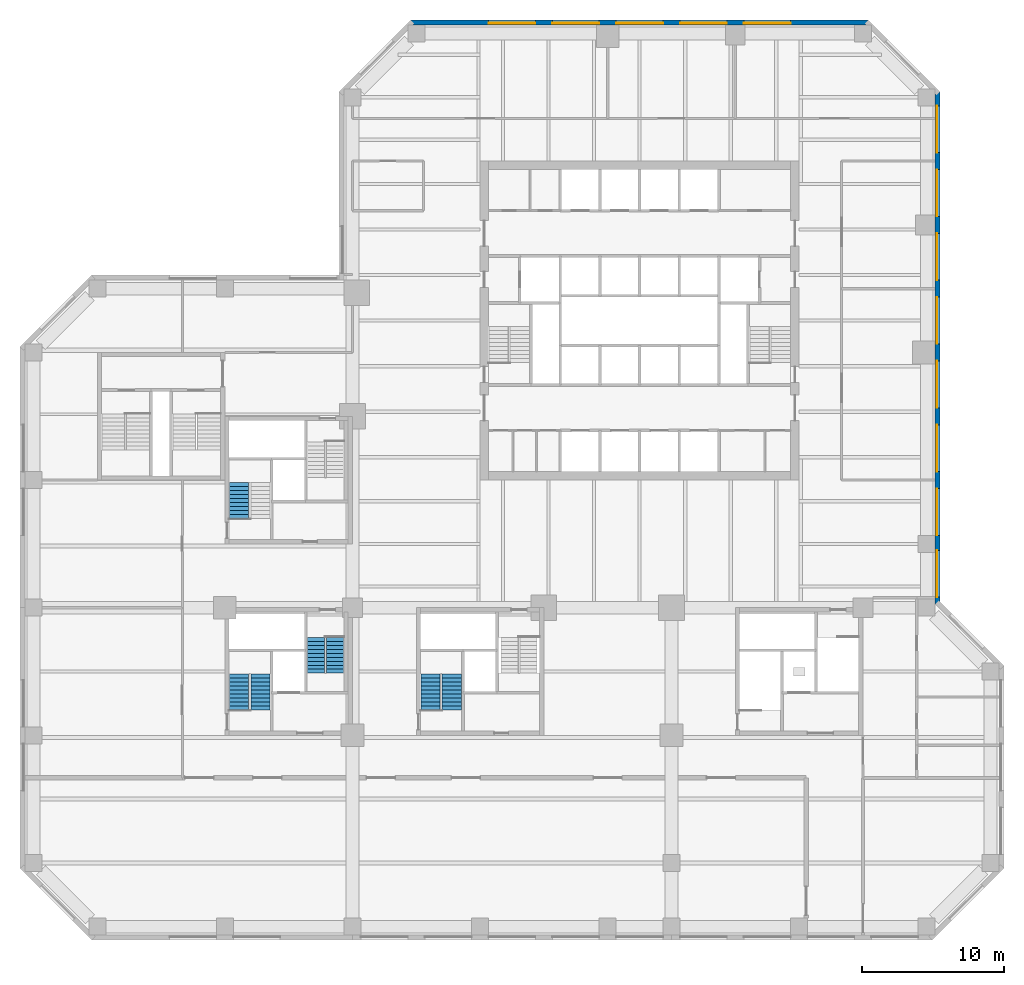
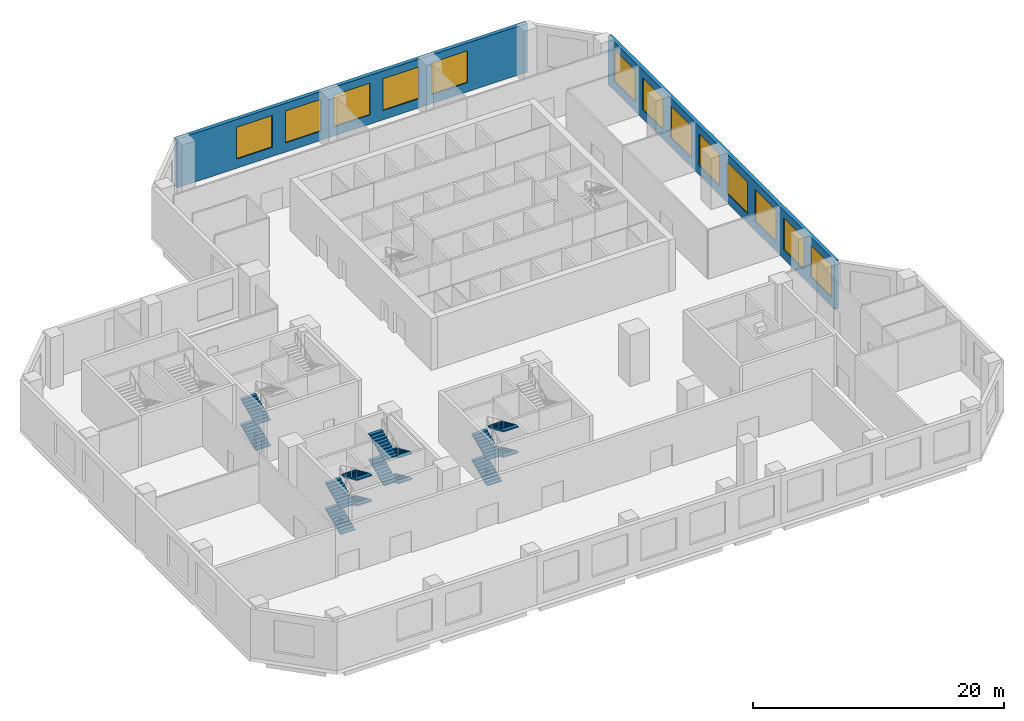
# One storey, part 9 of 12: 14 stair flights, 13 windows, 2 walls, 13 openings, 4 elements without a shape of their own.
"""IFC4 building model written with IfcOpenShell, lengths in metres."""

from ifc_helpers import new_model, si_unit, direction, frame, frame_2d, origin, place, context, subcontext, project, spatial, polyline, rectangle, outline, extrude, material, layer, layer_set, constituent, constituent_set, type_object, element, fill, aggregate, save


model = new_model("IFC4")

# Units and contexts
model_context = context("Model", 3, precision=1e-05, world=origin(), true_north=direction((0.0, 1.0)))
body_context = subcontext(model_context, "Body", "Model", "MODEL_VIEW")
ifc_project = project(units=[si_unit("LENGTHUNIT", "METRE"), si_unit("AREAUNIT", "SQUARE_METRE"), si_unit("VOLUMEUNIT", "CUBIC_METRE"), si_unit("PLANEANGLEUNIT", "RADIAN"), si_unit("MASSUNIT", "GRAM", prefix="KILO")], contexts=[model_context])

# Site, building, storey
site_placement = place(None, origin())
site = spatial("IfcSite", under=ifc_project, at=site_placement, CompositionType="ELEMENT")
building_placement = place(site_placement, origin())
building = spatial("IfcBuilding", under=site, at=building_placement, Name="Quoin Convention Tower", CompositionType="ELEMENT")
storey_placement = place(building_placement, frame((0.0, 0.0, 13.5)))
storey = spatial("IfcBuildingStorey", under=building, at=storey_placement, Name="L02", CompositionType="ELEMENT", Elevation=13.5)

# Wall, openings, windows
ifc_material_1 = material(Name="Brick masonry", Category="masonry")
ifc_layer = layer(ifc_material_1, 0.35009765625)
ifc_layer_set = layer_set([ifc_layer], Name="Brick masonry")
wall_type = type_object("IfcWallType", Name="Brick facade wall", PredefinedType="STANDARD", material=ifc_layer_set)
wall_1_placement = place(storey_placement, frame((77.27490234375, 40.74853515625, 0.0), z_axis=(0.0, 0.0, 1.0), x_axis=(0.0, 1.0, 0.0)))
wall_1 = element("IfcWall", 1, at=wall_1_placement, inside=storey, type_object=wall_type, Name="fw-L02-76500_40500", PredefinedType="STANDARD", context=body_context, shape_type="SweptSolid", body=[
    extrude(rectangle(XDim=36.14501953125, YDim=0.35009765625, at=frame_2d((18.072509765625, 0.0))), origin(), (0.0, 0.0, 1.0), 4.7548828125),
])
opening_1_placement = place(wall_1_placement, frame((0.5, 0.0, 0.89990234375)))
opening_1 = element("IfcOpeningElement", 2, at=opening_1_placement, cuts=wall_1, Name="Opening W-05", PredefinedType="OPENING", context=body_context, shape_type="SweptSolid", body=[
    extrude(rectangle(XDim=3.300048828125, YDim=3.10009765625, at=frame_2d((1.64990234375, 1.550048828125))), frame((0.0, 0.18505859375, 0.0), z_axis=(0.0, -1.0, 0.0), x_axis=(1.0, 0.0, 0.0)), (0.0, 0.0, 1.0), 0.3701171875),
])
opening_2_placement = place(wall_1_placement, frame((4.8515625, 0.0, 0.89990234375)))
opening_2 = element("IfcOpeningElement", 3, at=opening_2_placement, cuts=wall_1, Name="Opening W-05", PredefinedType="OPENING", context=body_context, shape_type="SweptSolid", body=[
    extrude(rectangle(XDim=3.300048828125, YDim=3.10009765625, at=frame_2d((1.64990234375, 1.550048828125))), frame((0.0, 0.18505859375, 0.0), z_axis=(0.0, -1.0, 0.0), x_axis=(1.0, 0.0, 0.0)), (0.0, 0.0, 1.0), 0.3701171875),
])
opening_3_placement = place(wall_1_placement, frame((9.3515625, 0.0, 0.89990234375)))
opening_3 = element("IfcOpeningElement", 4, at=opening_3_placement, cuts=wall_1, Name="Opening W-05", PredefinedType="OPENING", context=body_context, shape_type="SweptSolid", body=[
    extrude(rectangle(XDim=3.300048828125, YDim=3.10009765625, at=frame_2d((1.64990234375, 1.550048828125))), frame((0.0, 0.18505859375, 0.0), z_axis=(0.0, -1.0, 0.0), x_axis=(1.0, 0.0, 0.0)), (0.0, 0.0, 1.0), 0.3701171875),
])
opening_4_placement = place(wall_1_placement, frame((13.8515625, 0.0, 0.89990234375)))
opening_4 = element("IfcOpeningElement", 5, at=opening_4_placement, cuts=wall_1, Name="Opening W-05", PredefinedType="OPENING", context=body_context, shape_type="SweptSolid", body=[
    extrude(rectangle(XDim=3.300048828125, YDim=3.10009765625, at=frame_2d((1.64990234375, 1.550048828125))), frame((0.0, 0.18505859375, 0.0), z_axis=(0.0, -1.0, 0.0), x_axis=(1.0, 0.0, 0.0)), (0.0, 0.0, 1.0), 0.3701171875),
])
opening_5_placement = place(wall_1_placement, frame((18.3515625, 0.0, 0.89990234375)))
opening_5 = element("IfcOpeningElement", 6, at=opening_5_placement, cuts=wall_1, Name="Opening W-05", PredefinedType="OPENING", context=body_context, shape_type="SweptSolid", body=[
    extrude(rectangle(XDim=3.300048828125, YDim=3.10009765625, at=frame_2d((1.64990234375, 1.550048828125))), frame((0.0, 0.18505859375, 0.0), z_axis=(0.0, -1.0, 0.0), x_axis=(1.0, 0.0, 0.0)), (0.0, 0.0, 1.0), 0.3701171875),
])
opening_6_placement = place(wall_1_placement, frame((22.8515625, 0.0, 0.89990234375)))
opening_6 = element("IfcOpeningElement", 7, at=opening_6_placement, cuts=wall_1, Name="Opening W-05", PredefinedType="OPENING", context=body_context, shape_type="SweptSolid", body=[
    extrude(rectangle(XDim=3.300048828125, YDim=3.10009765625, at=frame_2d((1.64990234375, 1.550048828125))), frame((0.0, 0.18505859375, 0.0), z_axis=(0.0, -1.0, 0.0), x_axis=(1.0, 0.0, 0.0)), (0.0, 0.0, 1.0), 0.3701171875),
])
opening_7_placement = place(wall_1_placement, frame((27.3515625, 0.0, 0.89990234375)))
opening_7 = element("IfcOpeningElement", 8, at=opening_7_placement, cuts=wall_1, Name="Opening W-05", PredefinedType="OPENING", context=body_context, shape_type="SweptSolid", body=[
    extrude(rectangle(XDim=3.300048828125, YDim=3.10009765625, at=frame_2d((1.64990234375, 1.550048828125))), frame((0.0, 0.18505859375, 0.0), z_axis=(0.0, -1.0, 0.0), x_axis=(1.0, 0.0, 0.0)), (0.0, 0.0, 1.0), 0.3701171875),
])
opening_8_placement = place(wall_1_placement, frame((31.8515625, 0.0, 0.89990234375)))
opening_8 = element("IfcOpeningElement", 9, at=opening_8_placement, cuts=wall_1, Name="Opening W-05", PredefinedType="OPENING", context=body_context, shape_type="SweptSolid", body=[
    extrude(rectangle(XDim=3.300048828125, YDim=3.10009765625, at=frame_2d((1.64990234375, 1.550048828125))), frame((0.0, 0.18505859375, 0.0), z_axis=(0.0, -1.0, 0.0), x_axis=(1.0, 0.0, 0.0)), (0.0, 0.0, 1.0), 0.3701171875),
])
ifc_material_2 = material(Name="Aluminium", Category="aluminium")
ifc_constituent_1 = constituent(ifc_material_2, Name="Frame")
ifc_material_3 = material(Name="Insulated glass", Category="glass")
ifc_constituent_2 = constituent(ifc_material_3, Name="Glazing")
ifc_constituent_set = constituent_set(constituents=[ifc_constituent_1, ifc_constituent_2], Name="Aluminium")
window_type = type_object("IfcWindowType", Name="Convention window L02", PartitioningType="TRIPLE_PANEL_VERTICAL", PredefinedType="WINDOW", material=ifc_constituent_set)
window_1_placement = place(opening_1_placement, origin())
window_1 = element("IfcWindow", 10, at=window_1_placement, inside=storey, type_object=window_type, Name="win-L02-77275_42750", OverallHeight=3.10009765625, OverallWidth=3.300048828125, PartitioningType="SINGLE_PANEL", PredefinedType="WINDOW", context=body_context, shape_type="SweptSolid", body=[
    extrude(rectangle(XDim=3.300048828125, YDim=3.10009765625, at=frame_2d((1.64990234375, 1.550048828125))), frame((0.0, 0.0849609375, 0.0), z_axis=(0.0, -1.0, 0.0), x_axis=(1.0, 0.0, 0.0)), (0.0, 0.0, 1.0), 0.06005859375),
])
fill(opening_1, window_1)
window_2_placement = place(opening_2_placement, origin())
window_2 = element("IfcWindow", 11, at=window_2_placement, inside=storey, type_object=window_type, Name="win-L02-77275_47250", OverallHeight=3.10009765625, OverallWidth=3.300048828125, PartitioningType="SINGLE_PANEL", PredefinedType="WINDOW", context=body_context, shape_type="SweptSolid", body=[
    extrude(rectangle(XDim=3.300048828125, YDim=3.10009765625, at=frame_2d((1.64990234375, 1.550048828125))), frame((0.0, 0.0849609375, 0.0), z_axis=(0.0, -1.0, 0.0), x_axis=(1.0, 0.0, 0.0)), (0.0, 0.0, 1.0), 0.06005859375),
])
fill(opening_2, window_2)
window_3_placement = place(opening_3_placement, origin())
window_3 = element("IfcWindow", 12, at=window_3_placement, inside=storey, type_object=window_type, Name="win-L02-77275_51750", OverallHeight=3.10009765625, OverallWidth=3.300048828125, PartitioningType="SINGLE_PANEL", PredefinedType="WINDOW", context=body_context, shape_type="SweptSolid", body=[
    extrude(rectangle(XDim=3.300048828125, YDim=3.10009765625, at=frame_2d((1.64990234375, 1.550048828125))), frame((0.0, 0.0849609375, 0.0), z_axis=(0.0, -1.0, 0.0), x_axis=(1.0, 0.0, 0.0)), (0.0, 0.0, 1.0), 0.06005859375),
])
fill(opening_3, window_3)
window_4_placement = place(opening_4_placement, origin())
window_4 = element("IfcWindow", 13, at=window_4_placement, inside=storey, type_object=window_type, Name="win-L02-77275_56250", OverallHeight=3.10009765625, OverallWidth=3.300048828125, PartitioningType="SINGLE_PANEL", PredefinedType="WINDOW", context=body_context, shape_type="SweptSolid", body=[
    extrude(rectangle(XDim=3.300048828125, YDim=3.10009765625, at=frame_2d((1.64990234375, 1.550048828125))), frame((0.0, 0.0849609375, 0.0), z_axis=(0.0, -1.0, 0.0), x_axis=(1.0, 0.0, 0.0)), (0.0, 0.0, 1.0), 0.06005859375),
])
fill(opening_4, window_4)
window_5_placement = place(opening_5_placement, origin())
window_5 = element("IfcWindow", 14, at=window_5_placement, inside=storey, type_object=window_type, Name="win-L02-77275_60750", OverallHeight=3.10009765625, OverallWidth=3.300048828125, PartitioningType="SINGLE_PANEL", PredefinedType="WINDOW", context=body_context, shape_type="SweptSolid", body=[
    extrude(rectangle(XDim=3.300048828125, YDim=3.10009765625, at=frame_2d((1.64990234375, 1.550048828125))), frame((0.0, 0.0849609375, 0.0), z_axis=(0.0, -1.0, 0.0), x_axis=(1.0, 0.0, 0.0)), (0.0, 0.0, 1.0), 0.06005859375),
])
fill(opening_5, window_5)
window_6_placement = place(opening_6_placement, origin())
window_6 = element("IfcWindow", 15, at=window_6_placement, inside=storey, type_object=window_type, Name="win-L02-77275_65250", OverallHeight=3.10009765625, OverallWidth=3.300048828125, PartitioningType="SINGLE_PANEL", PredefinedType="WINDOW", context=body_context, shape_type="SweptSolid", body=[
    extrude(rectangle(XDim=3.300048828125, YDim=3.10009765625, at=frame_2d((1.64990234375, 1.550048828125))), frame((0.0, 0.0849609375, 0.0), z_axis=(0.0, -1.0, 0.0), x_axis=(1.0, 0.0, 0.0)), (0.0, 0.0, 1.0), 0.06005859375),
])
fill(opening_6, window_6)
window_7_placement = place(opening_7_placement, origin())
window_7 = element("IfcWindow", 16, at=window_7_placement, inside=storey, type_object=window_type, Name="win-L02-77275_69750", OverallHeight=3.10009765625, OverallWidth=3.300048828125, PartitioningType="SINGLE_PANEL", PredefinedType="WINDOW", context=body_context, shape_type="SweptSolid", body=[
    extrude(rectangle(XDim=3.300048828125, YDim=3.10009765625, at=frame_2d((1.64990234375, 1.550048828125))), frame((0.0, 0.0849609375, 0.0), z_axis=(0.0, -1.0, 0.0), x_axis=(1.0, 0.0, 0.0)), (0.0, 0.0, 1.0), 0.06005859375),
])
fill(opening_7, window_7)
window_8_placement = place(opening_8_placement, origin())
window_8 = element("IfcWindow", 17, at=window_8_placement, inside=storey, type_object=window_type, Name="win-L02-77275_74250", OverallHeight=3.10009765625, OverallWidth=3.300048828125, PartitioningType="SINGLE_PANEL", PredefinedType="WINDOW", context=body_context, shape_type="SweptSolid", body=[
    extrude(rectangle(XDim=3.300048828125, YDim=3.10009765625, at=frame_2d((1.64990234375, 1.550048828125))), frame((0.0, 0.0849609375, 0.0), z_axis=(0.0, -1.0, 0.0), x_axis=(1.0, 0.0, 0.0)), (0.0, 0.0, 1.0), 0.06005859375),
])
fill(opening_8, window_8)

wall_2_placement = place(storey_placement, frame((72.3935546875, 81.77490234375, 0.0), z_axis=(0.0, 0.0, 1.0), x_axis=(-1.0, 0.0, 0.0)))
wall_2 = element("IfcWall", 18, at=wall_2_placement, inside=storey, type_object=wall_type, Name="fw-L02-72000_81000", PredefinedType="STANDARD", context=body_context, shape_type="SweptSolid", body=[
    extrude(rectangle(XDim=32.287109375, YDim=0.35009765625, at=frame_2d((16.1435546875, 0.0))), origin(), (0.0, 0.0, 1.0), 4.7548828125),
])
opening_9_placement = place(wall_2_placement, frame((5.493408203125, 0.0, 0.89990234375)))
opening_9 = element("IfcOpeningElement", 19, at=opening_9_placement, cuts=wall_2, Name="Opening W-05", PredefinedType="OPENING", context=body_context, shape_type="SweptSolid", body=[
    extrude(rectangle(XDim=3.300048828125, YDim=3.10009765625, at=frame_2d((1.64990234375, 1.550048828125))), frame((0.0, 0.18505859375, 0.0), z_axis=(0.0, -1.0, 0.0), x_axis=(1.0, 0.0, 0.0)), (0.0, 0.0, 1.0), 0.3701171875),
])
opening_10_placement = place(wall_2_placement, frame((9.993408203125, 0.0, 0.89990234375)))
opening_10 = element("IfcOpeningElement", 20, at=opening_10_placement, cuts=wall_2, Name="Opening W-05", PredefinedType="OPENING", context=body_context, shape_type="SweptSolid", body=[
    extrude(rectangle(XDim=3.300048828125, YDim=3.10009765625, at=frame_2d((1.64990234375, 1.550048828125))), frame((0.0, 0.18505859375, 0.0), z_axis=(0.0, -1.0, 0.0), x_axis=(1.0, 0.0, 0.0)), (0.0, 0.0, 1.0), 0.3701171875),
])
opening_11_placement = place(wall_2_placement, frame((14.493408203125, 0.0, 0.89990234375)))
opening_11 = element("IfcOpeningElement", 21, at=opening_11_placement, cuts=wall_2, Name="Opening W-05", PredefinedType="OPENING", context=body_context, shape_type="SweptSolid", body=[
    extrude(rectangle(XDim=3.300048828125, YDim=3.10009765625, at=frame_2d((1.64990234375, 1.550048828125))), frame((0.0, 0.18505859375, 0.0), z_axis=(0.0, -1.0, 0.0), x_axis=(1.0, 0.0, 0.0)), (0.0, 0.0, 1.0), 0.3701171875),
])
opening_12_placement = place(wall_2_placement, frame((18.993408203125, 0.0, 0.89990234375)))
opening_12 = element("IfcOpeningElement", 22, at=opening_12_placement, cuts=wall_2, Name="Opening W-05", PredefinedType="OPENING", context=body_context, shape_type="SweptSolid", body=[
    extrude(rectangle(XDim=3.300048828125, YDim=3.10009765625, at=frame_2d((1.64990234375, 1.550048828125))), frame((0.0, 0.18505859375, 0.0), z_axis=(0.0, -1.0, 0.0), x_axis=(1.0, 0.0, 0.0)), (0.0, 0.0, 1.0), 0.3701171875),
])
opening_13_placement = place(wall_2_placement, frame((23.493408203125, 0.0, 0.89990234375)))
opening_13 = element("IfcOpeningElement", 23, at=opening_13_placement, cuts=wall_2, Name="Opening W-05", PredefinedType="OPENING", context=body_context, shape_type="SweptSolid", body=[
    extrude(rectangle(XDim=3.300048828125, YDim=3.10009765625, at=frame_2d((1.64990234375, 1.550048828125))), frame((0.0, 0.18505859375, 0.0), z_axis=(0.0, -1.0, 0.0), x_axis=(1.0, 0.0, 0.0)), (0.0, 0.0, 1.0), 0.3701171875),
])
window_9_placement = place(opening_9_placement, origin())
window_9 = element("IfcWindow", 24, at=window_9_placement, inside=storey, type_object=window_type, Name="win-L02-65250_81775", OverallHeight=3.10009765625, OverallWidth=3.300048828125, PartitioningType="SINGLE_PANEL", PredefinedType="WINDOW", context=body_context, shape_type="SweptSolid", body=[
    extrude(rectangle(XDim=3.300048828125, YDim=3.10009765625, at=frame_2d((1.64990234375, 1.550048828125))), frame((0.0, 0.0849609375, 0.0), z_axis=(0.0, -1.0, 0.0), x_axis=(1.0, 0.0, 0.0)), (0.0, 0.0, 1.0), 0.06005859375),
])
fill(opening_9, window_9)
window_10_placement = place(opening_10_placement, origin())
window_10 = element("IfcWindow", 25, at=window_10_placement, inside=storey, type_object=window_type, Name="win-L02-60750_81775", OverallHeight=3.10009765625, OverallWidth=3.300048828125, PartitioningType="SINGLE_PANEL", PredefinedType="WINDOW", context=body_context, shape_type="SweptSolid", body=[
    extrude(rectangle(XDim=3.300048828125, YDim=3.10009765625, at=frame_2d((1.64990234375, 1.550048828125))), frame((0.0, 0.0849609375, 0.0), z_axis=(0.0, -1.0, 0.0), x_axis=(1.0, 0.0, 0.0)), (0.0, 0.0, 1.0), 0.06005859375),
])
fill(opening_10, window_10)
window_11_placement = place(opening_11_placement, origin())
window_11 = element("IfcWindow", 26, at=window_11_placement, inside=storey, type_object=window_type, Name="win-L02-56250_81775", OverallHeight=3.10009765625, OverallWidth=3.300048828125, PartitioningType="SINGLE_PANEL", PredefinedType="WINDOW", context=body_context, shape_type="SweptSolid", body=[
    extrude(rectangle(XDim=3.300048828125, YDim=3.10009765625, at=frame_2d((1.64990234375, 1.550048828125))), frame((0.0, 0.0849609375, 0.0), z_axis=(0.0, -1.0, 0.0), x_axis=(1.0, 0.0, 0.0)), (0.0, 0.0, 1.0), 0.06005859375),
])
fill(opening_11, window_11)
window_12_placement = place(opening_12_placement, origin())
window_12 = element("IfcWindow", 27, at=window_12_placement, inside=storey, type_object=window_type, Name="win-L02-51750_81775", OverallHeight=3.10009765625, OverallWidth=3.300048828125, PartitioningType="SINGLE_PANEL", PredefinedType="WINDOW", context=body_context, shape_type="SweptSolid", body=[
    extrude(rectangle(XDim=3.300048828125, YDim=3.10009765625, at=frame_2d((1.64990234375, 1.550048828125))), frame((0.0, 0.0849609375, 0.0), z_axis=(0.0, -1.0, 0.0), x_axis=(1.0, 0.0, 0.0)), (0.0, 0.0, 1.0), 0.06005859375),
])
fill(opening_12, window_12)
window_13_placement = place(opening_13_placement, origin())
window_13 = element("IfcWindow", 28, at=window_13_placement, inside=storey, type_object=window_type, Name="win-L02-47250_81775", OverallHeight=3.10009765625, OverallWidth=3.300048828125, PartitioningType="SINGLE_PANEL", PredefinedType="WINDOW", context=body_context, shape_type="SweptSolid", body=[
    extrude(rectangle(XDim=3.300048828125, YDim=3.10009765625, at=frame_2d((1.64990234375, 1.550048828125))), frame((0.0, 0.0849609375, 0.0), z_axis=(0.0, -1.0, 0.0), x_axis=(1.0, 0.0, 0.0)), (0.0, 0.0, 1.0), 0.06005859375),
])
fill(opening_13, window_13)

# Stair, stair flights
ifc_material_4 = material(Name="Concrete C40", Category="concrete")
stair_type_1 = type_object("IfcStairType", Name="Exit stair four-flight 1200", PredefinedType="DOUBLE_RETURN_STAIR", material=ifc_material_4)
stair_1_placement = place(storey_placement, origin())
stair_1 = element("IfcStair", 29, at=stair_1_placement, inside=storey, type_object=stair_type_1, Name="SD8 L02", PredefinedType="DOUBLE_RETURN_STAIR")
stair_flight_type_1 = type_object("IfcStairFlightType", Name="Stair flight 1200", PredefinedType="STRAIGHT", material=ifc_material_4)
stair_flight_1_placement = place(storey_placement, frame((34.77490234375, 38.39990234375, 0.0), z_axis=(0.0, 0.0, 1.0), x_axis=(0.0, -1.0, 0.0)))
stair_flight_1 = element("IfcStairFlight", 30, at=stair_flight_1_placement, type_object=stair_flight_type_1, Name="ST8 flight 1", NumberOfRisers=10, NumberOfTreads=9, PredefinedType="STRAIGHT", RiserHeight=0.125, TreadLength=0.28, context=body_context, shape_type="SweptSolid", body=[
    extrude(outline(polyline([(0.0, 0.0), (0.0, 0.125), (0.280029296875, 0.125), (0.280029296875, 0.25), (0.56005859375, 0.25), (0.56005859375, 0.375), (0.840087890625, 0.375), (0.840087890625, 0.5), (1.1201171875, 0.5), (1.1201171875, 0.625), (1.39990234375, 0.625), (1.39990234375, 0.75), (1.679931640625, 0.75), (1.679931640625, 0.875), (1.9599609375, 0.875), (1.9599609375, 1.0), (2.239990234375, 1.0), (2.239990234375, 1.125), (2.52001953125, 1.125), (2.52001953125, 1.25), (2.52001953125, 0.993408203125), (0.294677734375, 0.0), (0.0, 0.0)])), frame((0.0, 0.60009765625, 0.0), z_axis=(0.0, -1.0, 0.0), x_axis=(1.0, 0.0, 0.0)), (0.0, 0.0, 1.0), 1.199951171875),
])
stair_flight_2_placement = place(storey_placement, frame((33.425048828125, 35.8798828125, 1.25), z_axis=(0.0, 0.0, 1.0), x_axis=(0.0, 1.0, 0.0)))
stair_flight_2 = element("IfcStairFlight", 31, at=stair_flight_2_placement, type_object=stair_flight_type_1, Name="ST8 flight 2", NumberOfRisers=10, NumberOfTreads=9, PredefinedType="STRAIGHT", RiserHeight=0.125, TreadLength=0.28, context=body_context, shape_type="SweptSolid", body=[
    extrude(outline(polyline([(0.0, 0.0), (0.0, 0.125), (0.280029296875, 0.125), (0.280029296875, 0.25), (0.56005859375, 0.25), (0.56005859375, 0.375), (0.840087890625, 0.375), (0.840087890625, 0.5), (1.1201171875, 0.5), (1.1201171875, 0.625), (1.39990234375, 0.625), (1.39990234375, 0.75), (1.679931640625, 0.75), (1.679931640625, 0.875), (1.9599609375, 0.875), (1.9599609375, 1.0), (2.239990234375, 1.0), (2.239990234375, 1.125), (2.52001953125, 1.125), (2.52001953125, 1.25), (2.52001953125, 0.993408203125), (0.294677734375, 0.0), (0.0, 0.0)])), frame((0.0, 0.60009765625, 0.0), z_axis=(0.0, -1.0, 0.0), x_axis=(1.0, 0.0, 0.0)), (0.0, 0.0, 1.0), 1.199951171875),
])
stair_flight_3_placement = place(storey_placement, frame((34.77490234375, 38.39990234375, 2.5), z_axis=(0.0, 0.0, 1.0), x_axis=(0.0, -1.0, 0.0)))
stair_flight_3 = element("IfcStairFlight", 32, at=stair_flight_3_placement, type_object=stair_flight_type_1, Name="ST8 flight 3", NumberOfRisers=10, NumberOfTreads=9, PredefinedType="STRAIGHT", RiserHeight=0.125, TreadLength=0.28, context=body_context, shape_type="SweptSolid", body=[
    extrude(outline(polyline([(0.0, 0.0), (0.0, 0.125), (0.280029296875, 0.125), (0.280029296875, 0.25), (0.56005859375, 0.25), (0.56005859375, 0.375), (0.840087890625, 0.375), (0.840087890625, 0.5), (1.1201171875, 0.5), (1.1201171875, 0.625), (1.39990234375, 0.625), (1.39990234375, 0.75), (1.679931640625, 0.75), (1.679931640625, 0.875), (1.9599609375, 0.875), (1.9599609375, 1.0), (2.239990234375, 1.0), (2.239990234375, 1.125), (2.52001953125, 1.125), (2.52001953125, 1.25), (2.52001953125, 0.993408203125), (0.294677734375, 0.0), (0.0, 0.0)])), frame((0.0, 0.60009765625, 0.0), z_axis=(0.0, -1.0, 0.0), x_axis=(1.0, 0.0, 0.0)), (0.0, 0.0, 1.0), 1.199951171875),
])
stair_flight_4_placement = place(storey_placement, frame((33.425048828125, 35.8798828125, 3.75), z_axis=(0.0, 0.0, 1.0), x_axis=(0.0, 1.0, 0.0)))
stair_flight_4 = element("IfcStairFlight", 33, at=stair_flight_4_placement, type_object=stair_flight_type_1, Name="ST8 flight 4", NumberOfRisers=10, NumberOfTreads=9, PredefinedType="STRAIGHT", RiserHeight=0.125, TreadLength=0.28, context=body_context, shape_type="SweptSolid", body=[
    extrude(outline(polyline([(0.0, 0.0), (0.0, 0.125), (0.280029296875, 0.125), (0.280029296875, 0.25), (0.56005859375, 0.25), (0.56005859375, 0.375), (0.840087890625, 0.375), (0.840087890625, 0.5), (1.1201171875, 0.5), (1.1201171875, 0.625), (1.39990234375, 0.625), (1.39990234375, 0.75), (1.679931640625, 0.75), (1.679931640625, 0.875), (1.9599609375, 0.875), (1.9599609375, 1.0), (2.239990234375, 1.0), (2.239990234375, 1.125), (2.52001953125, 1.125), (2.52001953125, 1.25), (2.52001953125, 0.993408203125), (0.294677734375, 0.0), (0.0, 0.0)])), frame((0.0, 0.60009765625, 0.0), z_axis=(0.0, -1.0, 0.0), x_axis=(1.0, 0.0, 0.0)), (0.0, 0.0, 1.0), 1.199951171875),
])
aggregate(stair_1, [stair_flight_1, stair_flight_2, stair_flight_3, stair_flight_4])

stair_type_2 = type_object("IfcStairType", Name="Exit stair four-flight 1350", PredefinedType="DOUBLE_RETURN_STAIR", material=ifc_material_4)
stair_2_placement = place(storey_placement, origin())
stair_2 = element("IfcStair", 34, at=stair_2_placement, inside=storey, type_object=stair_type_2, Name="SD3 L02", PredefinedType="DOUBLE_RETURN_STAIR")
stair_flight_type_2 = type_object("IfcStairFlightType", Name="Stair flight 1350", PredefinedType="STRAIGHT", material=ifc_material_4)
stair_flight_5_placement = place(storey_placement, frame((28.0, 46.800048828125, 0.0), z_axis=(0.0, 0.0, 1.0), x_axis=(0.0, 1.0, 0.0)))
stair_flight_5 = element("IfcStairFlight", 35, at=stair_flight_5_placement, type_object=stair_flight_type_2, Name="ST3 flight 1", NumberOfRisers=10, NumberOfTreads=9, PredefinedType="STRAIGHT", RiserHeight=0.125, TreadLength=0.28, context=body_context, shape_type="SweptSolid", body=[
    extrude(outline(polyline([(0.0, 0.0), (0.0, 0.125), (0.280029296875, 0.125), (0.280029296875, 0.25), (0.56005859375, 0.25), (0.56005859375, 0.375), (0.840087890625, 0.375), (0.840087890625, 0.5), (1.1201171875, 0.5), (1.1201171875, 0.625), (1.39990234375, 0.625), (1.39990234375, 0.75), (1.679931640625, 0.75), (1.679931640625, 0.875), (1.9599609375, 0.875), (1.9599609375, 1.0), (2.239990234375, 1.0), (2.239990234375, 1.125), (2.52001953125, 1.125), (2.52001953125, 1.25), (2.52001953125, 0.993408203125), (0.294677734375, 0.0), (0.0, 0.0)])), frame((0.0, 0.675048828125, 0.0), z_axis=(0.0, -1.0, 0.0), x_axis=(1.0, 0.0, 0.0)), (0.0, 0.0, 1.0), 1.35009765625),
])
stair_flight_6_placement = place(storey_placement, frame((28.0, 46.800048828125, 2.5), z_axis=(0.0, 0.0, 1.0), x_axis=(0.0, 1.0, 0.0)))
stair_flight_6 = element("IfcStairFlight", 36, at=stair_flight_6_placement, type_object=stair_flight_type_2, Name="ST3 flight 3", NumberOfRisers=10, NumberOfTreads=9, PredefinedType="STRAIGHT", RiserHeight=0.125, TreadLength=0.28, context=body_context, shape_type="SweptSolid", body=[
    extrude(outline(polyline([(0.0, 0.0), (0.0, 0.125), (0.280029296875, 0.125), (0.280029296875, 0.25), (0.56005859375, 0.25), (0.56005859375, 0.375), (0.840087890625, 0.375), (0.840087890625, 0.5), (1.1201171875, 0.5), (1.1201171875, 0.625), (1.39990234375, 0.625), (1.39990234375, 0.75), (1.679931640625, 0.75), (1.679931640625, 0.875), (1.9599609375, 0.875), (1.9599609375, 1.0), (2.239990234375, 1.0), (2.239990234375, 1.125), (2.52001953125, 1.125), (2.52001953125, 1.25), (2.52001953125, 0.993408203125), (0.294677734375, 0.0), (0.0, 0.0)])), frame((0.0, 0.675048828125, 0.0), z_axis=(0.0, -1.0, 0.0), x_axis=(1.0, 0.0, 0.0)), (0.0, 0.0, 1.0), 1.35009765625),
])
aggregate(stair_2, [stair_flight_5, stair_flight_6])

stair_3_placement = place(storey_placement, origin())
stair_3 = element("IfcStair", 37, at=stair_3_placement, inside=storey, type_object=stair_type_2, Name="SD5 L02", PredefinedType="DOUBLE_RETURN_STAIR")
stair_flight_7_placement = place(storey_placement, frame((41.5, 33.300048828125, 0.0), z_axis=(0.0, 0.0, 1.0), x_axis=(0.0, 1.0, 0.0)))
stair_flight_7 = element("IfcStairFlight", 38, at=stair_flight_7_placement, type_object=stair_flight_type_2, Name="ST5 flight 1", NumberOfRisers=10, NumberOfTreads=9, PredefinedType="STRAIGHT", RiserHeight=0.125, TreadLength=0.28, context=body_context, shape_type="SweptSolid", body=[
    extrude(outline(polyline([(0.0, 0.0), (0.0, 0.125), (0.280029296875, 0.125), (0.280029296875, 0.25), (0.56005859375, 0.25), (0.56005859375, 0.375), (0.840087890625, 0.375), (0.840087890625, 0.5), (1.1201171875, 0.5), (1.1201171875, 0.625), (1.39990234375, 0.625), (1.39990234375, 0.75), (1.679931640625, 0.75), (1.679931640625, 0.875), (1.9599609375, 0.875), (1.9599609375, 1.0), (2.239990234375, 1.0), (2.239990234375, 1.125), (2.52001953125, 1.125), (2.52001953125, 1.25), (2.52001953125, 0.993408203125), (0.294677734375, 0.0), (0.0, 0.0)])), frame((0.0, 0.675048828125, 0.0), z_axis=(0.0, -1.0, 0.0), x_axis=(1.0, 0.0, 0.0)), (0.0, 0.0, 1.0), 1.35009765625),
])
stair_flight_8_placement = place(storey_placement, frame((43.0, 35.820068359375, 1.25), z_axis=(0.0, 0.0, 1.0), x_axis=(0.0, -1.0, 0.0)))
stair_flight_8 = element("IfcStairFlight", 39, at=stair_flight_8_placement, type_object=stair_flight_type_2, Name="ST5 flight 2", NumberOfRisers=10, NumberOfTreads=9, PredefinedType="STRAIGHT", RiserHeight=0.125, TreadLength=0.28, context=body_context, shape_type="SweptSolid", body=[
    extrude(outline(polyline([(0.0, 0.0), (0.0, 0.125), (0.280029296875, 0.125), (0.280029296875, 0.25), (0.56005859375, 0.25), (0.56005859375, 0.375), (0.840087890625, 0.375), (0.840087890625, 0.5), (1.1201171875, 0.5), (1.1201171875, 0.625), (1.39990234375, 0.625), (1.39990234375, 0.75), (1.679931640625, 0.75), (1.679931640625, 0.875), (1.9599609375, 0.875), (1.9599609375, 1.0), (2.239990234375, 1.0), (2.239990234375, 1.125), (2.52001953125, 1.125), (2.52001953125, 1.25), (2.52001953125, 0.993408203125), (0.294677734375, 0.0), (0.0, 0.0)])), frame((0.0, 0.675048828125, 0.0), z_axis=(0.0, -1.0, 0.0), x_axis=(1.0, 0.0, 0.0)), (0.0, 0.0, 1.0), 1.35009765625),
])
stair_flight_9_placement = place(storey_placement, frame((41.5, 33.300048828125, 2.5), z_axis=(0.0, 0.0, 1.0), x_axis=(0.0, 1.0, 0.0)))
stair_flight_9 = element("IfcStairFlight", 40, at=stair_flight_9_placement, type_object=stair_flight_type_2, Name="ST5 flight 3", NumberOfRisers=10, NumberOfTreads=9, PredefinedType="STRAIGHT", RiserHeight=0.125, TreadLength=0.28, context=body_context, shape_type="SweptSolid", body=[
    extrude(outline(polyline([(0.0, 0.0), (0.0, 0.125), (0.280029296875, 0.125), (0.280029296875, 0.25), (0.56005859375, 0.25), (0.56005859375, 0.375), (0.840087890625, 0.375), (0.840087890625, 0.5), (1.1201171875, 0.5), (1.1201171875, 0.625), (1.39990234375, 0.625), (1.39990234375, 0.75), (1.679931640625, 0.75), (1.679931640625, 0.875), (1.9599609375, 0.875), (1.9599609375, 1.0), (2.239990234375, 1.0), (2.239990234375, 1.125), (2.52001953125, 1.125), (2.52001953125, 1.25), (2.52001953125, 0.993408203125), (0.294677734375, 0.0), (0.0, 0.0)])), frame((0.0, 0.675048828125, 0.0), z_axis=(0.0, -1.0, 0.0), x_axis=(1.0, 0.0, 0.0)), (0.0, 0.0, 1.0), 1.35009765625),
])
stair_flight_10_placement = place(storey_placement, frame((43.0, 35.820068359375, 3.75), z_axis=(0.0, 0.0, 1.0), x_axis=(0.0, -1.0, 0.0)))
stair_flight_10 = element("IfcStairFlight", 41, at=stair_flight_10_placement, type_object=stair_flight_type_2, Name="ST5 flight 4", NumberOfRisers=10, NumberOfTreads=9, PredefinedType="STRAIGHT", RiserHeight=0.125, TreadLength=0.28, context=body_context, shape_type="SweptSolid", body=[
    extrude(outline(polyline([(0.0, 0.0), (0.0, 0.125), (0.280029296875, 0.125), (0.280029296875, 0.25), (0.56005859375, 0.25), (0.56005859375, 0.375), (0.840087890625, 0.375), (0.840087890625, 0.5), (1.1201171875, 0.5), (1.1201171875, 0.625), (1.39990234375, 0.625), (1.39990234375, 0.75), (1.679931640625, 0.75), (1.679931640625, 0.875), (1.9599609375, 0.875), (1.9599609375, 1.0), (2.239990234375, 1.0), (2.239990234375, 1.125), (2.52001953125, 1.125), (2.52001953125, 1.25), (2.52001953125, 0.993408203125), (0.294677734375, 0.0), (0.0, 0.0)])), frame((0.0, 0.675048828125, 0.0), z_axis=(0.0, -1.0, 0.0), x_axis=(1.0, 0.0, 0.0)), (0.0, 0.0, 1.0), 1.35009765625),
])
aggregate(stair_3, [stair_flight_7, stair_flight_8, stair_flight_9, stair_flight_10])

stair_4_placement = place(storey_placement, origin())
stair_4 = element("IfcStair", 42, at=stair_4_placement, inside=storey, type_object=stair_type_2, Name="SD7 L02", PredefinedType="DOUBLE_RETURN_STAIR")
stair_flight_11_placement = place(storey_placement, frame((28.0, 33.300048828125, 0.0), z_axis=(0.0, 0.0, 1.0), x_axis=(0.0, 1.0, 0.0)))
stair_flight_11 = element("IfcStairFlight", 43, at=stair_flight_11_placement, type_object=stair_flight_type_2, Name="ST7 flight 1", NumberOfRisers=10, NumberOfTreads=9, PredefinedType="STRAIGHT", RiserHeight=0.125, TreadLength=0.28, context=body_context, shape_type="SweptSolid", body=[
    extrude(outline(polyline([(0.0, 0.0), (0.0, 0.125), (0.280029296875, 0.125), (0.280029296875, 0.25), (0.56005859375, 0.25), (0.56005859375, 0.375), (0.840087890625, 0.375), (0.840087890625, 0.5), (1.1201171875, 0.5), (1.1201171875, 0.625), (1.39990234375, 0.625), (1.39990234375, 0.75), (1.679931640625, 0.75), (1.679931640625, 0.875), (1.9599609375, 0.875), (1.9599609375, 1.0), (2.239990234375, 1.0), (2.239990234375, 1.125), (2.52001953125, 1.125), (2.52001953125, 1.25), (2.52001953125, 0.993408203125), (0.294677734375, 0.0), (0.0, 0.0)])), frame((0.0, 0.675048828125, 0.0), z_axis=(0.0, -1.0, 0.0), x_axis=(1.0, 0.0, 0.0)), (0.0, 0.0, 1.0), 1.35009765625),
])
stair_flight_12_placement = place(storey_placement, frame((29.5, 35.820068359375, 1.25), z_axis=(0.0, 0.0, 1.0), x_axis=(0.0, -1.0, 0.0)))
stair_flight_12 = element("IfcStairFlight", 44, at=stair_flight_12_placement, type_object=stair_flight_type_2, Name="ST7 flight 2", NumberOfRisers=10, NumberOfTreads=9, PredefinedType="STRAIGHT", RiserHeight=0.125, TreadLength=0.28, context=body_context, shape_type="SweptSolid", body=[
    extrude(outline(polyline([(0.0, 0.0), (0.0, 0.125), (0.280029296875, 0.125), (0.280029296875, 0.25), (0.56005859375, 0.25), (0.56005859375, 0.375), (0.840087890625, 0.375), (0.840087890625, 0.5), (1.1201171875, 0.5), (1.1201171875, 0.625), (1.39990234375, 0.625), (1.39990234375, 0.75), (1.679931640625, 0.75), (1.679931640625, 0.875), (1.9599609375, 0.875), (1.9599609375, 1.0), (2.239990234375, 1.0), (2.239990234375, 1.125), (2.52001953125, 1.125), (2.52001953125, 1.25), (2.52001953125, 0.993408203125), (0.294677734375, 0.0), (0.0, 0.0)])), frame((0.0, 0.675048828125, 0.0), z_axis=(0.0, -1.0, 0.0), x_axis=(1.0, 0.0, 0.0)), (0.0, 0.0, 1.0), 1.35009765625),
])
stair_flight_13_placement = place(storey_placement, frame((28.0, 33.300048828125, 2.5), z_axis=(0.0, 0.0, 1.0), x_axis=(0.0, 1.0, 0.0)))
stair_flight_13 = element("IfcStairFlight", 45, at=stair_flight_13_placement, type_object=stair_flight_type_2, Name="ST7 flight 3", NumberOfRisers=10, NumberOfTreads=9, PredefinedType="STRAIGHT", RiserHeight=0.125, TreadLength=0.28, context=body_context, shape_type="SweptSolid", body=[
    extrude(outline(polyline([(0.0, 0.0), (0.0, 0.125), (0.280029296875, 0.125), (0.280029296875, 0.25), (0.56005859375, 0.25), (0.56005859375, 0.375), (0.840087890625, 0.375), (0.840087890625, 0.5), (1.1201171875, 0.5), (1.1201171875, 0.625), (1.39990234375, 0.625), (1.39990234375, 0.75), (1.679931640625, 0.75), (1.679931640625, 0.875), (1.9599609375, 0.875), (1.9599609375, 1.0), (2.239990234375, 1.0), (2.239990234375, 1.125), (2.52001953125, 1.125), (2.52001953125, 1.25), (2.52001953125, 0.993408203125), (0.294677734375, 0.0), (0.0, 0.0)])), frame((0.0, 0.675048828125, 0.0), z_axis=(0.0, -1.0, 0.0), x_axis=(1.0, 0.0, 0.0)), (0.0, 0.0, 1.0), 1.35009765625),
])
stair_flight_14_placement = place(storey_placement, frame((29.5, 35.820068359375, 3.75), z_axis=(0.0, 0.0, 1.0), x_axis=(0.0, -1.0, 0.0)))
stair_flight_14 = element("IfcStairFlight", 46, at=stair_flight_14_placement, type_object=stair_flight_type_2, Name="ST7 flight 4", NumberOfRisers=10, NumberOfTreads=9, PredefinedType="STRAIGHT", RiserHeight=0.125, TreadLength=0.28, context=body_context, shape_type="SweptSolid", body=[
    extrude(outline(polyline([(0.0, 0.0), (0.0, 0.125), (0.280029296875, 0.125), (0.280029296875, 0.25), (0.56005859375, 0.25), (0.56005859375, 0.375), (0.840087890625, 0.375), (0.840087890625, 0.5), (1.1201171875, 0.5), (1.1201171875, 0.625), (1.39990234375, 0.625), (1.39990234375, 0.75), (1.679931640625, 0.75), (1.679931640625, 0.875), (1.9599609375, 0.875), (1.9599609375, 1.0), (2.239990234375, 1.0), (2.239990234375, 1.125), (2.52001953125, 1.125), (2.52001953125, 1.25), (2.52001953125, 0.993408203125), (0.294677734375, 0.0), (0.0, 0.0)])), frame((0.0, 0.675048828125, 0.0), z_axis=(0.0, -1.0, 0.0), x_axis=(1.0, 0.0, 0.0)), (0.0, 0.0, 1.0), 1.35009765625),
])
aggregate(stair_4, [stair_flight_11, stair_flight_12, stair_flight_13, stair_flight_14])

save(model, "model.ifc")
